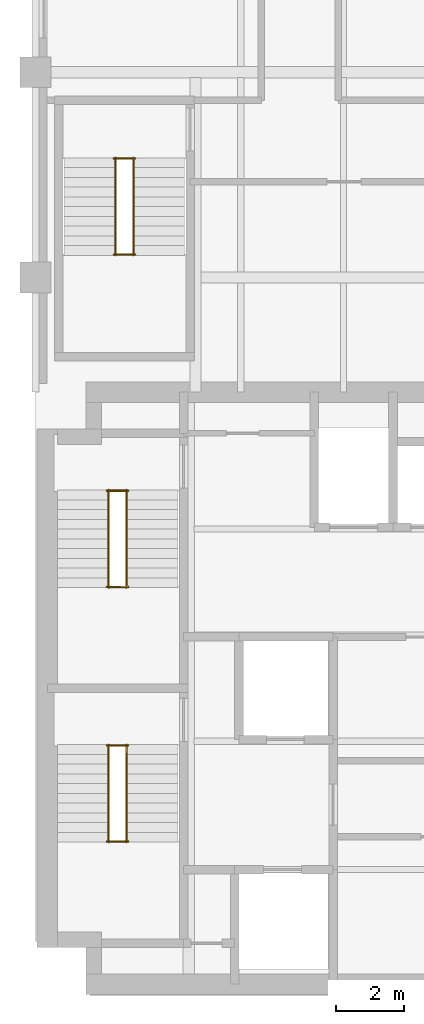
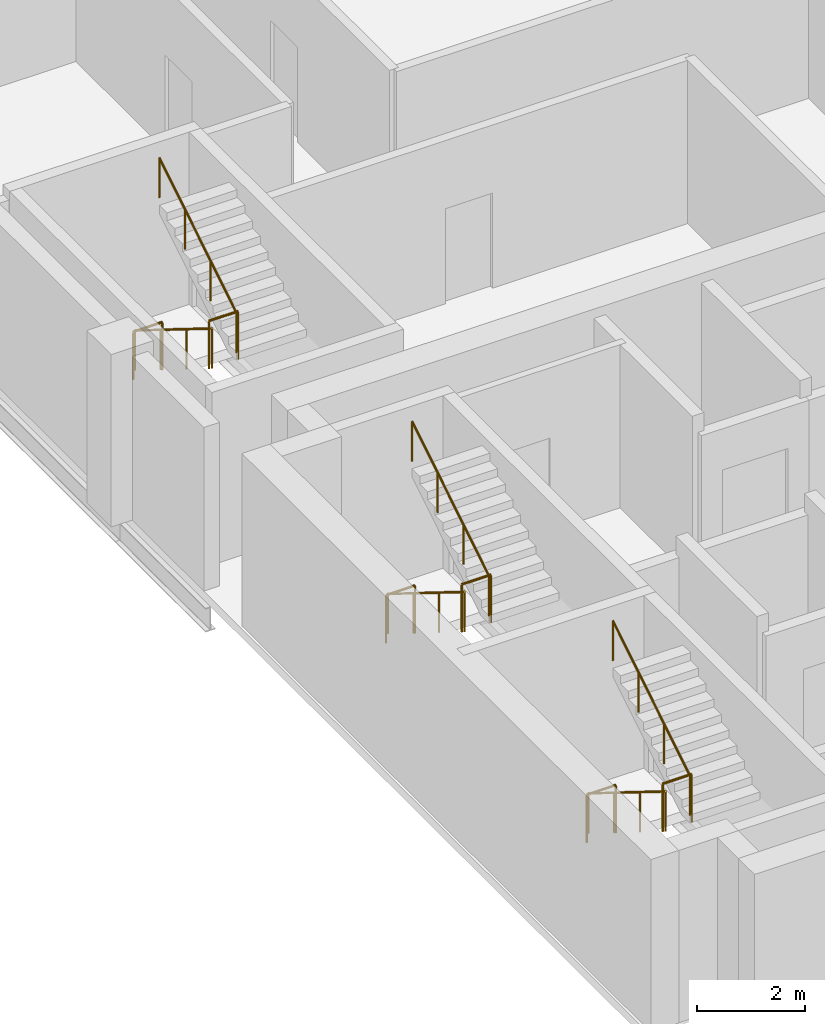
# One storey, part 6 of 6: 12 railings.
"""IFC4 building model written with IfcOpenShell, lengths in metres."""

import ifcopenshell
import ifcopenshell.guid

model = None  # the IFC model being written
_history = None  # IfcOwnerHistory: only IFC2X3 demands one
_inside = {}  # id of a spatial element -> (the spatial element, [elements in it])
_under = {}  # id of a project, library or spatial element -> (it, [spatial elements below it])
_declared = {}  # id of a project -> (the project, [libraries it declares])
_typed = {}  # id of a type object -> (the type object, [elements of that type])
_made_of = {}  # id of a material, layer set ... -> (it, [elements and type objects made of it])


def new_model(schema):
    """Start an empty IFC model of exactly this schema.

    Asked for "IFC4X3", IfcOpenShell would pick the latest addendum, in which some entities
    have other attributes; the version numbers below select the first issue.
    IFC2X3 requires an IfcOwnerHistory on every rooted entity: one is made here for all.
    """
    global model, _history
    if schema == "IFC4X3":
        model = ifcopenshell.file(schema_version=(4, 3, 0, 0))
    else:
        model = ifcopenshell.file(schema=schema)
    _inside.clear()
    _under.clear()
    _declared.clear()
    _typed.clear()
    _made_of.clear()
    _history = None
    if model.schema == "IFC2X3":
        org = make("IfcOrganization", Name="unknown")
        user = make(
            "IfcPersonAndOrganization",
            ThePerson=make("IfcPerson", FamilyName="unknown"),
            TheOrganization=org,
        )
        app = make(
            "IfcApplication",
            ApplicationDeveloper=org,
            Version="unknown",
            ApplicationFullName="unknown",
            ApplicationIdentifier="unknown",
        )
        _history = make(
            "IfcOwnerHistory",
            OwningUser=user,
            OwningApplication=app,
            ChangeAction="ADDED",
            CreationDate=0,
        )
    return model


def make(cls, **values):
    """One entity of the class cls with the attributes given. An attribute that is None is left unset."""
    return model.create_entity(
        cls, **{name: value for name, value in values.items() if value is not None}
    )


def rooted(cls, **values):
    """An entity with a GlobalId (a new one), such as an element, a storey or a relation."""
    return make(cls, GlobalId=ifcopenshell.guid.new(), OwnerHistory=_history, **values)


def si_unit(unit_type, name, prefix=None):
    """IfcSIUnit, for example si_unit("LENGTHUNIT", "METRE", prefix="MILLI")."""
    return make("IfcSIUnit", UnitType=unit_type, Prefix=prefix, Name=name)


def assignment(units):
    """IfcUnitAssignment: the units of a project."""
    return None if units is None else make("IfcUnitAssignment", Units=units)


def point(xyz):
    """IfcCartesianPoint."""
    return None if xyz is None else make("IfcCartesianPoint", Coordinates=xyz)


def direction(xyz):
    """IfcDirection."""
    return None if xyz is None else make("IfcDirection", DirectionRatios=xyz)


def frame(location, z_axis=None, x_axis=None):
    """IfcAxis2Placement3D, a coordinate frame: its origin and axes. An axis left out is left unset."""
    return make(
        "IfcAxis2Placement3D",
        Location=point(location),
        Axis=direction(z_axis),
        RefDirection=direction(x_axis),
    )


def frame_2d(location, x_axis=None):
    """IfcAxis2Placement2D, a coordinate frame in the plane: its origin and x axis."""
    return make(
        "IfcAxis2Placement2D", Location=point(location), RefDirection=direction(x_axis)
    )


def origin():
    """The frame at (0, 0, 0) with its axes left unset."""
    return frame((0.0, 0.0, 0.0))


def origin_2d():
    """The frame at (0, 0) in the plane with its x axis left unset."""
    return frame_2d((0.0, 0.0))


def place(relative_to, where):
    """IfcLocalPlacement: puts the frame where relative to a parent placement (None: the world)."""
    return make(
        "IfcLocalPlacement", PlacementRelTo=relative_to, RelativePlacement=where
    )


def context(
    kind, dimensions, precision=None, world=None, true_north=None, identifier=None
):
    """IfcGeometricRepresentationContext, for example the 3D "Model" context."""
    return make(
        "IfcGeometricRepresentationContext",
        ContextIdentifier=identifier,
        ContextType=kind,
        CoordinateSpaceDimension=dimensions,
        Precision=precision,
        WorldCoordinateSystem=world,
        TrueNorth=true_north,
    )


def subcontext(parent, identifier, kind, view, scale=None):
    """IfcGeometricRepresentationSubContext, for example "Body" below "Model"."""
    return make(
        "IfcGeometricRepresentationSubContext",
        ContextIdentifier=identifier,
        ContextType=kind,
        ParentContext=parent,
        TargetScale=scale,
        TargetView=view,
    )


def project(units=None, contexts=None):
    """IfcProject with its units and contexts."""
    return rooted(
        "IfcProject",
        Name="project",
        RepresentationContexts=contexts,
        UnitsInContext=assignment(units),
    )


def spatial(cls, under=None, at=None, **own):
    """A site, building, storey or space (cls), placed at a placement, below another one or the project."""
    s = rooted(cls, ObjectPlacement=at, **own)
    if under is not None:
        _under.setdefault(under.id(), (under, []))[1].append(s)
    return s


def profile(cls, at=None, kind="AREA", **sizes):
    """A parametric profile (cls). Its sizes go by their IFC names, for example OverallWidth=200.0."""
    return make(cls, ProfileType=kind, Position=at, **sizes)


def circle(**sizes):
    """IfcCircleProfileDef."""
    return profile("IfcCircleProfileDef", **sizes)


def extrude(swept, where, along, depth):
    """IfcExtrudedAreaSolid: the profile swept, set in the frame where, extruded along a direction by depth."""
    return make(
        "IfcExtrudedAreaSolid",
        SweptArea=swept,
        Position=where,
        ExtrudedDirection=direction(along),
        Depth=depth,
    )


def shape(context_of_items, identifier, shape_type, items):
    """IfcShapeRepresentation: the items that make up one representation, for example the "Body"."""
    return make(
        "IfcShapeRepresentation",
        ContextOfItems=context_of_items,
        RepresentationIdentifier=identifier,
        RepresentationType=shape_type,
        Items=items,
    )


def material(Name=None, Category=None):
    """IfcMaterial."""
    return make("IfcMaterial", Name=Name, Category=Category)


def made_of(thing, what):
    """Note that an element or type object is made of a material, layer set ...; save() writes the relation."""
    if what is not None:
        _made_of.setdefault(what.id(), (what, []))[1].append(thing)
    return thing


def type_object(cls, material=None, **own):
    """A type object (cls), such as IfcWallType, which elements share."""
    return made_of(rooted(cls, **own), material)


def element(
    cls,
    number,
    at=None,
    inside=None,
    cuts=None,
    type_object=None,
    material=None,
    context=None,
    identifier="Body",
    shape_type=None,
    held_by="IfcProductDefinitionShape",
    body=None,
    shapes=None,
    **own,
):
    """One element of the class cls, such as IfcWall. Its Tag is "e" and its number.

    at: its placement. inside: the storey or other place that contains it. cuts: it is an
    opening in that element (IfcRelVoidsElement). A single representation is given by context,
    identifier, shape_type and body (its items); several are given by shapes. held_by: the class
    of the entity that holds the representations. save() writes the other relations.
    """
    e = rooted(cls, Tag="e%d" % number, ObjectPlacement=at, **own)
    if body is not None:
        shapes = [shape(context, identifier, shape_type, body)]
    if shapes is not None:
        e.Representation = make(held_by, Representations=shapes)
    if inside is not None:
        _inside.setdefault(inside.id(), (inside, []))[1].append(e)
    if cuts is not None:
        rooted(
            "IfcRelVoidsElement", RelatingBuildingElement=cuts, RelatedOpeningElement=e
        )
    if type_object is not None:
        _typed.setdefault(type_object.id(), (type_object, []))[1].append(e)
    return made_of(e, material)


def aggregate(whole, parts):
    """IfcRelAggregates: a whole, such as a stair, and the parts it consists of."""
    return rooted("IfcRelAggregates", RelatingObject=whole, RelatedObjects=parts)


def save(model, path):
    """Write the relations noted so far, then the file.

    IfcRelAggregates (storeys below a building ...), IfcRelContainedInSpatialStructure (elements
    in a storey), IfcRelDefinesByType, IfcRelAssociatesMaterial and IfcRelDeclares: one each for
    every whole, place, type object, material and project.
    """
    for whole, parts in _under.values():
        aggregate(whole, parts)
    for where, things in _inside.values():
        rooted(
            "IfcRelContainedInSpatialStructure",
            RelatedElements=things,
            RelatingStructure=where,
        )
    for kind, things in _typed.values():
        rooted("IfcRelDefinesByType", RelatedObjects=things, RelatingType=kind)
    for what, things in _made_of.values():
        rooted("IfcRelAssociatesMaterial", RelatedObjects=things, RelatingMaterial=what)
    for by, libraries in _declared.values():
        rooted("IfcRelDeclares", RelatingContext=by, RelatedDefinitions=libraries)
    model.write(path)


model = new_model("IFC4")

# Units and contexts
model_context = context("Model", 3, precision=1e-05, world=origin(), true_north=direction((0.0, 1.0)))
body_context = subcontext(model_context, "Body", "Model", "MODEL_VIEW")
ifc_project = project(units=[si_unit("LENGTHUNIT", "METRE"), si_unit("AREAUNIT", "SQUARE_METRE"), si_unit("VOLUMEUNIT", "CUBIC_METRE"), si_unit("PLANEANGLEUNIT", "RADIAN"), si_unit("MASSUNIT", "GRAM", prefix="KILO")], contexts=[model_context])

# Site, building, storey
site_placement = place(None, origin())
site = spatial("IfcSite", under=ifc_project, at=site_placement, CompositionType="ELEMENT")
building_placement = place(site_placement, origin())
building = spatial("IfcBuilding", under=site, at=building_placement, Name="Mawjdan Bourse Tower", CompositionType="ELEMENT")
storey_placement = place(building_placement, frame((0.0, 0.0, 187.800048828125)))
storey = spatial("IfcBuildingStorey", under=building, at=storey_placement, Name="L45", CompositionType="ELEMENT", Elevation=187.800048828125)

# Railings
ifc_material_1 = material(Name="Structural Steel S355", Category="steel")
railing_type_1 = type_object("IfcRailingType", Name="RLG-GRD-1100", PredefinedType="GUARDRAIL", material=ifc_material_1)
for number, where, name in (
    (1, (8.090087890625, 7.52001953125, 1.949951171875), "L45 ST1 Landing Guardrail GL-MID"),
    (2, (8.090087890625, 10.330078125, 0.0), "L45 ST1 Landing Guardrail GL-BOT"),
    (3, (8.090087890625, 14.9599609375, 1.949951171875), "L45 ST2 Landing Guardrail GL-MID"),
    (4, (8.090087890625, 17.77001953125, 0.0), "L45 ST2 Landing Guardrail GL-BOT"),
    (5, (8.2900390625, 24.669921875, 1.949951171875), "L45 ST3 Landing Guardrail GL-MID"),
    (6, (8.2900390625, 27.47998046875, 0.0), "L45 ST3 Landing Guardrail GL-BOT"),
):
    element("IfcRailing", number, at=place(storey_placement, frame(where)), inside=storey, type_object=railing_type_1, Name=name, PredefinedType="GUARDRAIL", context=body_context, shape_type="SweptSolid", body=[
        extrude(circle(Radius=0.02490234375, at=origin_2d()), frame((0.0, 0.0, 1.0751953125), z_axis=(1.0, 0.0, 0.0), x_axis=(0.0, 1.0, 0.0)), (0.0, 0.0, 1.0), 0.619873046875),
        extrude(circle(Radius=0.02099609375, at=origin_2d()), origin(), (0.0, 0.0, 1.0), 1.050048828125),
        extrude(circle(Radius=0.02099609375, at=origin_2d()), frame((0.619873046875, 0.0, 0.0)), (0.0, 0.0, 1.0), 1.050048828125),
    ])
ifc_material_2 = material(Name="Brushed Stainless Steel", Category="steel")
railing_type_2 = type_object("IfcRailingType", Name="RLG-HND-920", PredefinedType="HANDRAIL", material=ifc_material_2)
railing_1_placement = place(storey_placement, frame((8.139892578125, 10.35009765625, 0.17724609375)))
element("IfcRailing", 7, at=railing_1_placement, inside=storey, type_object=railing_type_2, Name="L45 ST1 Flight Handrail HR1", PredefinedType="HANDRAIL", context=body_context, shape_type="SweptSolid", body=[
    extrude(circle(Radius=0.0224609375, at=origin_2d()), frame((0.0, 0.0, 0.8974609375), z_axis=(0.0, -0.849148672731, 0.528153890072), x_axis=(1.0, 0.0, 0.0)), (0.0, 0.0, 1.0), 3.3564453125),
    extrude(circle(Radius=0.01904296875, at=origin_2d()), origin(), (0.0, 0.0, 1.0), 0.875),
    extrude(circle(Radius=0.01904296875, at=origin_2d()), frame((0.0, -0.949951171875, 0.5908203125)), (0.0, 0.0, 1.0), 0.875),
    extrude(circle(Radius=0.01904296875, at=origin_2d()), frame((0.0, -1.900146484375, 1.181884765625)), (0.0, 0.0, 1.0), 0.875),
    extrude(circle(Radius=0.01904296875, at=origin_2d()), frame((0.0, -2.85009765625, 1.772705078125)), (0.0, 0.0, 1.0), 0.875),
])
railing_2_placement = place(storey_placement, frame((8.659912109375, 7.5, 2.127197265625)))
element("IfcRailing", 8, at=railing_2_placement, inside=storey, type_object=railing_type_2, Name="L45 ST1 Flight Handrail HR2", PredefinedType="HANDRAIL", context=body_context, shape_type="SweptSolid", body=[
    extrude(circle(Radius=0.0224609375, at=origin_2d()), frame((0.0, 0.0, 0.8974609375), z_axis=(0.0, 0.849148672731, 0.528153890072), x_axis=(-1.0, 0.0, 0.0)), (0.0, 0.0, 1.0), 3.3564453125),
    extrude(circle(Radius=0.01904296875, at=origin_2d()), origin(), (0.0, 0.0, 1.0), 0.875),
    extrude(circle(Radius=0.01904296875, at=origin_2d()), frame((0.0, 0.949951171875, 0.5908203125)), (0.0, 0.0, 1.0), 0.875),
    extrude(circle(Radius=0.01904296875, at=origin_2d()), frame((0.0, 1.900146484375, 1.181884765625)), (0.0, 0.0, 1.0), 0.875),
    extrude(circle(Radius=0.01904296875, at=origin_2d()), frame((0.0, 2.85009765625, 1.772705078125)), (0.0, 0.0, 1.0), 0.875),
])
railing_3_placement = place(storey_placement, frame((8.139892578125, 17.7900390625, 0.17724609375)))
element("IfcRailing", 9, at=railing_3_placement, inside=storey, type_object=railing_type_2, Name="L45 ST2 Flight Handrail HR1", PredefinedType="HANDRAIL", context=body_context, shape_type="SweptSolid", body=[
    extrude(circle(Radius=0.0224609375, at=origin_2d()), frame((0.0, 0.0, 0.8974609375), z_axis=(0.0, -0.849148672731, 0.528153890072), x_axis=(1.0, 0.0, 0.0)), (0.0, 0.0, 1.0), 3.3564453125),
    extrude(circle(Radius=0.01904296875, at=origin_2d()), origin(), (0.0, 0.0, 1.0), 0.875),
    extrude(circle(Radius=0.01904296875, at=origin_2d()), frame((0.0, -0.949951171875, 0.5908203125)), (0.0, 0.0, 1.0), 0.875),
    extrude(circle(Radius=0.01904296875, at=origin_2d()), frame((0.0, -1.900146484375, 1.181884765625)), (0.0, 0.0, 1.0), 0.875),
    extrude(circle(Radius=0.01904296875, at=origin_2d()), frame((0.0, -2.85009765625, 1.772705078125)), (0.0, 0.0, 1.0), 0.875),
])
railing_4_placement = place(storey_placement, frame((8.659912109375, 14.93994140625, 2.127197265625)))
element("IfcRailing", 10, at=railing_4_placement, inside=storey, type_object=railing_type_2, Name="L45 ST2 Flight Handrail HR2", PredefinedType="HANDRAIL", context=body_context, shape_type="SweptSolid", body=[
    extrude(circle(Radius=0.0224609375, at=origin_2d()), frame((0.0, 0.0, 0.8974609375), z_axis=(0.0, 0.849148672731, 0.528153890072), x_axis=(-1.0, 0.0, 0.0)), (0.0, 0.0, 1.0), 3.3564453125),
    extrude(circle(Radius=0.01904296875, at=origin_2d()), origin(), (0.0, 0.0, 1.0), 0.875),
    extrude(circle(Radius=0.01904296875, at=origin_2d()), frame((0.0, 0.949951171875, 0.5908203125)), (0.0, 0.0, 1.0), 0.875),
    extrude(circle(Radius=0.01904296875, at=origin_2d()), frame((0.0, 1.900146484375, 1.181884765625)), (0.0, 0.0, 1.0), 0.875),
    extrude(circle(Radius=0.01904296875, at=origin_2d()), frame((0.0, 2.85009765625, 1.772705078125)), (0.0, 0.0, 1.0), 0.875),
])
railing_5_placement = place(storey_placement, frame((8.340087890625, 27.5, 0.17724609375)))
element("IfcRailing", 11, at=railing_5_placement, inside=storey, type_object=railing_type_2, Name="L45 ST3 Flight Handrail HR1", PredefinedType="HANDRAIL", context=body_context, shape_type="SweptSolid", body=[
    extrude(circle(Radius=0.0224609375, at=origin_2d()), frame((0.0, 0.0, 0.8974609375), z_axis=(0.0, -0.849148672731, 0.528153890072), x_axis=(1.0, 0.0, 0.0)), (0.0, 0.0, 1.0), 3.3564453125),
    extrude(circle(Radius=0.01904296875, at=origin_2d()), origin(), (0.0, 0.0, 1.0), 0.875),
    extrude(circle(Radius=0.01904296875, at=origin_2d()), frame((0.0, -0.949951171875, 0.5908203125)), (0.0, 0.0, 1.0), 0.875),
    extrude(circle(Radius=0.01904296875, at=origin_2d()), frame((0.0, -1.900146484375, 1.181884765625)), (0.0, 0.0, 1.0), 0.875),
    extrude(circle(Radius=0.01904296875, at=origin_2d()), frame((0.0, -2.85009765625, 1.772705078125)), (0.0, 0.0, 1.0), 0.875),
])
railing_6_placement = place(storey_placement, frame((8.860107421875, 24.64990234375, 2.127197265625)))
element("IfcRailing", 12, at=railing_6_placement, inside=storey, type_object=railing_type_2, Name="L45 ST3 Flight Handrail HR2", PredefinedType="HANDRAIL", context=body_context, shape_type="SweptSolid", body=[
    extrude(circle(Radius=0.0224609375, at=origin_2d()), frame((0.0, 0.0, 0.8974609375), z_axis=(0.0, 0.849148672731, 0.528153890072), x_axis=(-1.0, 0.0, 0.0)), (0.0, 0.0, 1.0), 3.3564453125),
    extrude(circle(Radius=0.01904296875, at=origin_2d()), origin(), (0.0, 0.0, 1.0), 0.875),
    extrude(circle(Radius=0.01904296875, at=origin_2d()), frame((0.0, 0.949951171875, 0.5908203125)), (0.0, 0.0, 1.0), 0.875),
    extrude(circle(Radius=0.01904296875, at=origin_2d()), frame((0.0, 1.900146484375, 1.181884765625)), (0.0, 0.0, 1.0), 0.875),
    extrude(circle(Radius=0.01904296875, at=origin_2d()), frame((0.0, 2.85009765625, 1.772705078125)), (0.0, 0.0, 1.0), 0.875),
])

save(model, "model.ifc")
